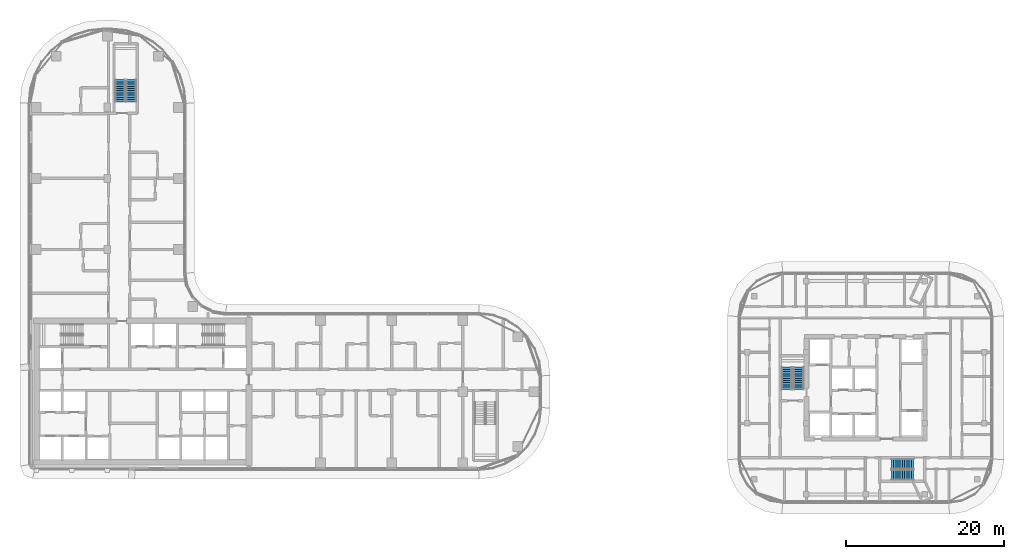
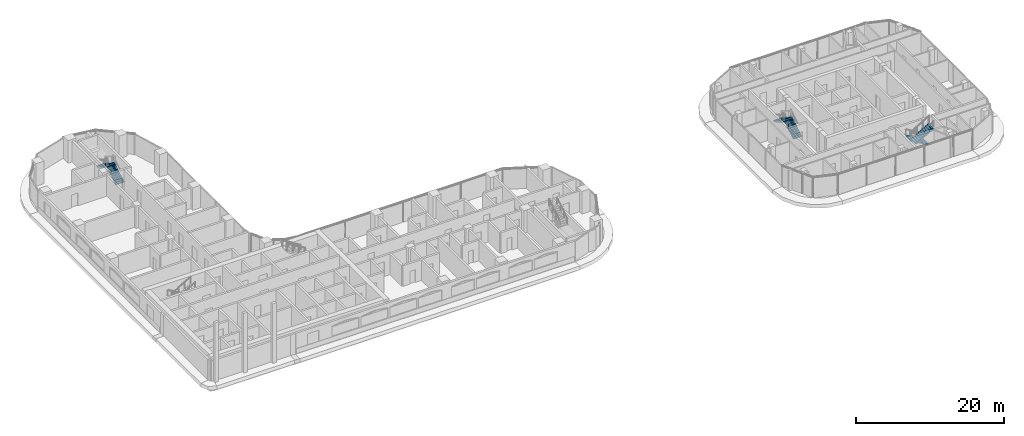
# One storey, part 31 of 40: 6 stair flights, 3 elements without a shape of their own.
"""IFC4 building model written with IfcOpenShell, lengths in metres."""

import ifcopenshell
import ifcopenshell.guid

model = None  # the IFC model being written
_history = None  # IfcOwnerHistory: only IFC2X3 demands one
_inside = {}  # id of a spatial element -> (the spatial element, [elements in it])
_under = {}  # id of a project, library or spatial element -> (it, [spatial elements below it])
_declared = {}  # id of a project -> (the project, [libraries it declares])
_typed = {}  # id of a type object -> (the type object, [elements of that type])
_made_of = {}  # id of a material, layer set ... -> (it, [elements and type objects made of it])


def new_model(schema):
    """Start an empty IFC model of exactly this schema.

    Asked for "IFC4X3", IfcOpenShell would pick the latest addendum, in which some entities
    have other attributes; the version numbers below select the first issue.
    IFC2X3 requires an IfcOwnerHistory on every rooted entity: one is made here for all.
    """
    global model, _history
    if schema == "IFC4X3":
        model = ifcopenshell.file(schema_version=(4, 3, 0, 0))
    else:
        model = ifcopenshell.file(schema=schema)
    _inside.clear()
    _under.clear()
    _declared.clear()
    _typed.clear()
    _made_of.clear()
    _history = None
    if model.schema == "IFC2X3":
        org = make("IfcOrganization", Name="unknown")
        user = make(
            "IfcPersonAndOrganization",
            ThePerson=make("IfcPerson", FamilyName="unknown"),
            TheOrganization=org,
        )
        app = make(
            "IfcApplication",
            ApplicationDeveloper=org,
            Version="unknown",
            ApplicationFullName="unknown",
            ApplicationIdentifier="unknown",
        )
        _history = make(
            "IfcOwnerHistory",
            OwningUser=user,
            OwningApplication=app,
            ChangeAction="ADDED",
            CreationDate=0,
        )
    return model


def make(cls, **values):
    """One entity of the class cls with the attributes given. An attribute that is None is left unset."""
    return model.create_entity(
        cls, **{name: value for name, value in values.items() if value is not None}
    )


def rooted(cls, **values):
    """An entity with a GlobalId (a new one), such as an element, a storey or a relation."""
    return make(cls, GlobalId=ifcopenshell.guid.new(), OwnerHistory=_history, **values)


def si_unit(unit_type, name, prefix=None):
    """IfcSIUnit, for example si_unit("LENGTHUNIT", "METRE", prefix="MILLI")."""
    return make("IfcSIUnit", UnitType=unit_type, Prefix=prefix, Name=name)


def assignment(units):
    """IfcUnitAssignment: the units of a project."""
    return None if units is None else make("IfcUnitAssignment", Units=units)


def point(xyz):
    """IfcCartesianPoint."""
    return None if xyz is None else make("IfcCartesianPoint", Coordinates=xyz)


def direction(xyz):
    """IfcDirection."""
    return None if xyz is None else make("IfcDirection", DirectionRatios=xyz)


def frame(location, z_axis=None, x_axis=None):
    """IfcAxis2Placement3D, a coordinate frame: its origin and axes. An axis left out is left unset."""
    return make(
        "IfcAxis2Placement3D",
        Location=point(location),
        Axis=direction(z_axis),
        RefDirection=direction(x_axis),
    )


def origin():
    """The frame at (0, 0, 0) with its axes left unset."""
    return frame((0.0, 0.0, 0.0))


def place(relative_to, where):
    """IfcLocalPlacement: puts the frame where relative to a parent placement (None: the world)."""
    return make(
        "IfcLocalPlacement", PlacementRelTo=relative_to, RelativePlacement=where
    )


def context(
    kind, dimensions, precision=None, world=None, true_north=None, identifier=None
):
    """IfcGeometricRepresentationContext, for example the 3D "Model" context."""
    return make(
        "IfcGeometricRepresentationContext",
        ContextIdentifier=identifier,
        ContextType=kind,
        CoordinateSpaceDimension=dimensions,
        Precision=precision,
        WorldCoordinateSystem=world,
        TrueNorth=true_north,
    )


def subcontext(parent, identifier, kind, view, scale=None):
    """IfcGeometricRepresentationSubContext, for example "Body" below "Model"."""
    return make(
        "IfcGeometricRepresentationSubContext",
        ContextIdentifier=identifier,
        ContextType=kind,
        ParentContext=parent,
        TargetScale=scale,
        TargetView=view,
    )


def project(units=None, contexts=None):
    """IfcProject with its units and contexts."""
    return rooted(
        "IfcProject",
        Name="project",
        RepresentationContexts=contexts,
        UnitsInContext=assignment(units),
    )


def spatial(cls, under=None, at=None, **own):
    """A site, building, storey or space (cls), placed at a placement, below another one or the project."""
    s = rooted(cls, ObjectPlacement=at, **own)
    if under is not None:
        _under.setdefault(under.id(), (under, []))[1].append(s)
    return s


def point_list(points):
    """IfcCartesianPointList2D or 3D."""
    cls = (
        "IfcCartesianPointList2D" if len(points[0]) == 2 else "IfcCartesianPointList3D"
    )
    return make(cls, CoordList=points)


def triangles(points, corners, closed=None, point_numbers=None):
    """IfcTriangulatedFaceSet: each triangle names its three corners, points numbered from 1."""
    return make(
        "IfcTriangulatedFaceSet",
        Coordinates=point_list(points),
        Closed=closed,
        CoordIndex=corners,
        PnIndex=point_numbers,
    )


def shape(context_of_items, identifier, shape_type, items):
    """IfcShapeRepresentation: the items that make up one representation, for example the "Body"."""
    return make(
        "IfcShapeRepresentation",
        ContextOfItems=context_of_items,
        RepresentationIdentifier=identifier,
        RepresentationType=shape_type,
        Items=items,
    )


def source(mapping_origin, context_of_items, identifier, shape_type, items):
    """IfcRepresentationMap: a shape defined once, which mapped items show again and again."""
    return make(
        "IfcRepresentationMap",
        MappingOrigin=mapping_origin,
        MappedRepresentation=shape(context_of_items, identifier, shape_type, items),
    )


def transform(
    local_origin,
    x_axis=None,
    y_axis=None,
    z_axis=None,
    scale=None,
    scale2=None,
    scale3=None,
    uniform=True,
):
    """IfcCartesianTransformationOperator3D, or its non-uniform kind. x_axis, y_axis, z_axis: its Axis1, 2, 3."""
    if uniform:
        return make(
            "IfcCartesianTransformationOperator3D",
            Axis1=direction(x_axis),
            Axis2=direction(y_axis),
            LocalOrigin=point(local_origin),
            Scale=scale,
            Axis3=direction(z_axis),
        )
    return make(
        "IfcCartesianTransformationOperator3DnonUniform",
        Axis1=direction(x_axis),
        Axis2=direction(y_axis),
        LocalOrigin=point(local_origin),
        Scale=scale,
        Axis3=direction(z_axis),
        Scale2=scale2,
        Scale3=scale3,
    )


def mapped(mapping_source, mapping_target):
    """IfcMappedItem: shows the shape of a source again, moved by a transform."""
    return make(
        "IfcMappedItem", MappingSource=mapping_source, MappingTarget=mapping_target
    )


def material(Name=None, Category=None):
    """IfcMaterial."""
    return make("IfcMaterial", Name=Name, Category=Category)


def made_of(thing, what):
    """Note that an element or type object is made of a material, layer set ...; save() writes the relation."""
    if what is not None:
        _made_of.setdefault(what.id(), (what, []))[1].append(thing)
    return thing


def type_object(cls, material=None, **own):
    """A type object (cls), such as IfcWallType, which elements share."""
    return made_of(rooted(cls, **own), material)


def element(
    cls,
    number,
    at=None,
    inside=None,
    cuts=None,
    type_object=None,
    material=None,
    context=None,
    identifier="Body",
    shape_type=None,
    held_by="IfcProductDefinitionShape",
    body=None,
    shapes=None,
    **own,
):
    """One element of the class cls, such as IfcWall. Its Tag is "e" and its number.

    at: its placement. inside: the storey or other place that contains it. cuts: it is an
    opening in that element (IfcRelVoidsElement). A single representation is given by context,
    identifier, shape_type and body (its items); several are given by shapes. held_by: the class
    of the entity that holds the representations. save() writes the other relations.
    """
    e = rooted(cls, Tag="e%d" % number, ObjectPlacement=at, **own)
    if body is not None:
        shapes = [shape(context, identifier, shape_type, body)]
    if shapes is not None:
        e.Representation = make(held_by, Representations=shapes)
    if inside is not None:
        _inside.setdefault(inside.id(), (inside, []))[1].append(e)
    if cuts is not None:
        rooted(
            "IfcRelVoidsElement", RelatingBuildingElement=cuts, RelatedOpeningElement=e
        )
    if type_object is not None:
        _typed.setdefault(type_object.id(), (type_object, []))[1].append(e)
    return made_of(e, material)


def aggregate(whole, parts):
    """IfcRelAggregates: a whole, such as a stair, and the parts it consists of."""
    return rooted("IfcRelAggregates", RelatingObject=whole, RelatedObjects=parts)


def save(model, path):
    """Write the relations noted so far, then the file.

    IfcRelAggregates (storeys below a building ...), IfcRelContainedInSpatialStructure (elements
    in a storey), IfcRelDefinesByType, IfcRelAssociatesMaterial and IfcRelDeclares: one each for
    every whole, place, type object, material and project.
    """
    for whole, parts in _under.values():
        aggregate(whole, parts)
    for where, things in _inside.values():
        rooted(
            "IfcRelContainedInSpatialStructure",
            RelatedElements=things,
            RelatingStructure=where,
        )
    for kind, things in _typed.values():
        rooted("IfcRelDefinesByType", RelatedObjects=things, RelatingType=kind)
    for what, things in _made_of.values():
        rooted("IfcRelAssociatesMaterial", RelatedObjects=things, RelatingMaterial=what)
    for by, libraries in _declared.values():
        rooted("IfcRelDeclares", RelatingContext=by, RelatedDefinitions=libraries)
    model.write(path)


model = new_model("IFC4")

# Units and contexts
model_context = context("Model", 3, precision=1e-05, world=origin(), true_north=direction((0.0, 1.0)))
body_context = subcontext(model_context, "Body", "Model", "MODEL_VIEW")
ifc_project = project(units=[si_unit("LENGTHUNIT", "METRE"), si_unit("AREAUNIT", "SQUARE_METRE"), si_unit("VOLUMEUNIT", "CUBIC_METRE"), si_unit("PLANEANGLEUNIT", "RADIAN"), si_unit("MASSUNIT", "GRAM", prefix="KILO")], contexts=[model_context])

# Site, building, storey
site_placement = place(None, origin())
site = spatial("IfcSite", under=ifc_project, at=site_placement, CompositionType="ELEMENT")
building_placement = place(site_placement, origin())
building = spatial("IfcBuilding", under=site, at=building_placement, Name="Ogive Portal Towers", CompositionType="ELEMENT")
storey_placement = place(building_placement, frame((0.0, 0.0, 87.10009765625)))
storey = spatial("IfcBuildingStorey", under=building, at=storey_placement, Name="L20", CompositionType="ELEMENT", Elevation=87.10009765625)

# Stair, stair flights
ifc_material = material(Name="Concrete C40/50", Category="concrete")
stair_type = type_object("IfcStairType", Name="INT-STAIR", PredefinedType="HALF_TURN_STAIR", material=ifc_material)
stair_1_placement = place(storey_placement, origin())
stair_1 = element("IfcStair", 1, at=stair_1_placement, inside=storey, type_object=stair_type, Name="L20 Exit Stair ST-A3", PredefinedType="HALF_TURN_STAIR")
stair_flight_type = type_object("IfcStairFlightType", Name="INT-FLIGHT", PredefinedType="STRAIGHT", material=ifc_material)
shared_shape = source(origin(), body_context, "Body", "Tessellation", [
    triangles([(0.0, -0.650146484375, 0.0), (0.0, -0.376220703125, 0.0), (0.0, -0.192626953125, 0.0), (0.0, -0.081298828125, 0.0), (0.0, -0.024169921875, 0.0), (0.0, -0.003173828125, 0.0), (0.0, 0.0, 0.0), (0.0, 0.0029296875, 0.0), (0.0, 0.02392578125, 0.0), (0.0, 0.0810546875, 0.0), (0.0, 0.1923828125, 0.0), (0.0, 0.3759765625, 0.0), (0.0, 0.64990234375, 0.0), (0.0, -0.650146484375, 0.168212890625), (0.0, -0.376220703125, 0.168212890625), (0.0, -0.192626953125, 0.168212890625), (0.0, -0.081298828125, 0.168212890625), (0.0, -0.024169921875, 0.168212890625), (0.0, -0.003173828125, 0.168212890625), (0.0, 0.0, 0.168212890625), (0.0, 0.0029296875, 0.168212890625), (0.0, 0.02392578125, 0.168212890625), (0.0, 0.0810546875, 0.168212890625), (0.0, 0.1923828125, 0.168212890625), (0.0, 0.3759765625, 0.168212890625), (0.0, 0.64990234375, 0.168212890625), (0.280029296875, -0.650146484375, 0.168212890625), (0.280029296875, -0.376220703125, 0.168212890625), (0.280029296875, -0.192626953125, 0.168212890625), (0.280029296875, -0.081298828125, 0.168212890625), (0.280029296875, -0.024169921875, 0.168212890625), (0.280029296875, -0.003173828125, 0.168212890625), (0.280029296875, 0.0, 0.168212890625), (0.280029296875, 0.0029296875, 0.168212890625), (0.280029296875, 0.02392578125, 0.168212890625), (0.280029296875, 0.0810546875, 0.168212890625), (0.280029296875, 0.1923828125, 0.168212890625), (0.280029296875, 0.3759765625, 0.168212890625), (0.280029296875, 0.64990234375, 0.168212890625), (0.280029296875, -0.650146484375, 0.33642578125), (0.280029296875, -0.376220703125, 0.33642578125), (0.280029296875, -0.192626953125, 0.33642578125), (0.280029296875, -0.081298828125, 0.33642578125), (0.280029296875, -0.024169921875, 0.33642578125), (0.280029296875, -0.003173828125, 0.33642578125), (0.280029296875, 0.0, 0.33642578125), (0.280029296875, 0.0029296875, 0.33642578125), (0.280029296875, 0.02392578125, 0.33642578125), (0.280029296875, 0.0810546875, 0.33642578125), (0.280029296875, 0.1923828125, 0.33642578125), (0.280029296875, 0.3759765625, 0.33642578125), (0.280029296875, 0.64990234375, 0.33642578125), (0.56005859375, -0.650146484375, 0.33642578125), (0.56005859375, -0.376220703125, 0.33642578125), (0.56005859375, -0.192626953125, 0.33642578125), (0.56005859375, -0.081298828125, 0.33642578125), (0.56005859375, -0.024169921875, 0.33642578125), (0.56005859375, -0.003173828125, 0.33642578125), (0.56005859375, 0.0, 0.33642578125), (0.56005859375, 0.0029296875, 0.33642578125), (0.56005859375, 0.02392578125, 0.33642578125), (0.56005859375, 0.0810546875, 0.33642578125), (0.56005859375, 0.1923828125, 0.33642578125), (0.56005859375, 0.3759765625, 0.33642578125), (0.56005859375, 0.64990234375, 0.33642578125), (0.56005859375, -0.650146484375, 0.504638671875), (0.56005859375, -0.376220703125, 0.504638671875), (0.56005859375, -0.192626953125, 0.504638671875), (0.56005859375, -0.081298828125, 0.504638671875), (0.56005859375, -0.024169921875, 0.504638671875), (0.56005859375, -0.003173828125, 0.504638671875), (0.56005859375, 0.0, 0.504638671875), (0.56005859375, 0.0029296875, 0.504638671875), (0.56005859375, 0.02392578125, 0.504638671875), (0.56005859375, 0.0810546875, 0.504638671875), (0.56005859375, 0.1923828125, 0.504638671875), (0.56005859375, 0.3759765625, 0.504638671875), (0.56005859375, 0.64990234375, 0.504638671875), (0.840087890625, -0.650146484375, 0.504638671875), (0.840087890625, -0.376220703125, 0.504638671875), (0.840087890625, -0.192626953125, 0.504638671875), (0.840087890625, -0.081298828125, 0.504638671875), (0.840087890625, -0.024169921875, 0.504638671875), (0.840087890625, -0.003173828125, 0.504638671875), (0.840087890625, 0.0, 0.504638671875), (0.840087890625, 0.0029296875, 0.504638671875), (0.840087890625, 0.02392578125, 0.504638671875), (0.840087890625, 0.0810546875, 0.504638671875), (0.840087890625, 0.1923828125, 0.504638671875), (0.840087890625, 0.3759765625, 0.504638671875), (0.840087890625, 0.64990234375, 0.504638671875), (0.840087890625, -0.650146484375, 0.672607421875), (0.840087890625, -0.376220703125, 0.672607421875), (0.840087890625, -0.192626953125, 0.672607421875), (0.840087890625, -0.081298828125, 0.672607421875), (0.840087890625, -0.024169921875, 0.672607421875), (0.840087890625, -0.003173828125, 0.672607421875), (0.840087890625, 0.0, 0.672607421875), (0.840087890625, 0.0029296875, 0.672607421875), (0.840087890625, 0.02392578125, 0.672607421875), (0.840087890625, 0.0810546875, 0.672607421875), (0.840087890625, 0.1923828125, 0.672607421875), (0.840087890625, 0.3759765625, 0.672607421875), (0.840087890625, 0.64990234375, 0.672607421875), (1.1201171875, -0.650146484375, 0.672607421875), (1.1201171875, -0.376220703125, 0.672607421875), (1.1201171875, -0.192626953125, 0.672607421875), (1.1201171875, -0.081298828125, 0.672607421875), (1.1201171875, -0.024169921875, 0.672607421875), (1.1201171875, -0.003173828125, 0.672607421875), (1.1201171875, 0.0, 0.672607421875), (1.1201171875, 0.0029296875, 0.672607421875), (1.1201171875, 0.02392578125, 0.672607421875), (1.1201171875, 0.0810546875, 0.672607421875), (1.1201171875, 0.1923828125, 0.672607421875), (1.1201171875, 0.3759765625, 0.672607421875), (1.1201171875, 0.64990234375, 0.672607421875), (1.1201171875, -0.650146484375, 0.8408203125), (1.1201171875, -0.376220703125, 0.8408203125), (1.1201171875, -0.192626953125, 0.8408203125), (1.1201171875, -0.081298828125, 0.8408203125), (1.1201171875, -0.024169921875, 0.8408203125), (1.1201171875, -0.003173828125, 0.8408203125), (1.1201171875, 0.0, 0.8408203125), (1.1201171875, 0.0029296875, 0.8408203125), (1.1201171875, 0.02392578125, 0.8408203125), (1.1201171875, 0.0810546875, 0.8408203125), (1.1201171875, 0.1923828125, 0.8408203125), (1.1201171875, 0.3759765625, 0.8408203125), (1.1201171875, 0.64990234375, 0.8408203125), (1.39990234375, -0.650146484375, 0.8408203125), (1.39990234375, -0.376220703125, 0.8408203125), (1.39990234375, -0.192626953125, 0.8408203125), (1.39990234375, -0.081298828125, 0.8408203125), (1.39990234375, -0.024169921875, 0.8408203125), (1.39990234375, -0.003173828125, 0.8408203125), (1.39990234375, 0.0, 0.8408203125), (1.39990234375, 0.0029296875, 0.8408203125), (1.39990234375, 0.02392578125, 0.8408203125), (1.39990234375, 0.0810546875, 0.8408203125), (1.39990234375, 0.1923828125, 0.8408203125), (1.39990234375, 0.3759765625, 0.8408203125), (1.39990234375, 0.64990234375, 0.8408203125), (1.39990234375, -0.650146484375, 1.009033203125), (1.39990234375, -0.376220703125, 1.009033203125), (1.39990234375, -0.192626953125, 1.009033203125), (1.39990234375, -0.081298828125, 1.009033203125), (1.39990234375, -0.024169921875, 1.009033203125), (1.39990234375, -0.003173828125, 1.009033203125), (1.39990234375, 0.0, 1.009033203125), (1.39990234375, 0.0029296875, 1.009033203125), (1.39990234375, 0.02392578125, 1.009033203125), (1.39990234375, 0.0810546875, 1.009033203125), (1.39990234375, 0.1923828125, 1.009033203125), (1.39990234375, 0.3759765625, 1.009033203125), (1.39990234375, 0.64990234375, 1.009033203125), (1.679931640625, -0.650146484375, 1.009033203125), (1.679931640625, -0.376220703125, 1.009033203125), (1.679931640625, -0.192626953125, 1.009033203125), (1.679931640625, -0.081298828125, 1.009033203125), (1.679931640625, -0.024169921875, 1.009033203125), (1.679931640625, -0.003173828125, 1.009033203125), (1.679931640625, 0.0, 1.009033203125), (1.679931640625, 0.0029296875, 1.009033203125), (1.679931640625, 0.02392578125, 1.009033203125), (1.679931640625, 0.0810546875, 1.009033203125), (1.679931640625, 0.1923828125, 1.009033203125), (1.679931640625, 0.3759765625, 1.009033203125), (1.679931640625, 0.64990234375, 1.009033203125), (1.679931640625, -0.650146484375, 1.17724609375), (1.679931640625, -0.376220703125, 1.17724609375), (1.679931640625, -0.192626953125, 1.17724609375), (1.679931640625, -0.081298828125, 1.17724609375), (1.679931640625, -0.024169921875, 1.17724609375), (1.679931640625, -0.003173828125, 1.17724609375), (1.679931640625, 0.0, 1.17724609375), (1.679931640625, 0.0029296875, 1.17724609375), (1.679931640625, 0.02392578125, 1.17724609375), (1.679931640625, 0.0810546875, 1.17724609375), (1.679931640625, 0.1923828125, 1.17724609375), (1.679931640625, 0.3759765625, 1.17724609375), (1.679931640625, 0.64990234375, 1.17724609375), (1.9599609375, -0.650146484375, 1.17724609375), (1.9599609375, -0.376220703125, 1.17724609375), (1.9599609375, -0.192626953125, 1.17724609375), (1.9599609375, -0.081298828125, 1.17724609375), (1.9599609375, -0.024169921875, 1.17724609375), (1.9599609375, -0.003173828125, 1.17724609375), (1.9599609375, 0.0, 1.17724609375), (1.9599609375, 0.0029296875, 1.17724609375), (1.9599609375, 0.02392578125, 1.17724609375), (1.9599609375, 0.0810546875, 1.17724609375), (1.9599609375, 0.1923828125, 1.17724609375), (1.9599609375, 0.3759765625, 1.17724609375), (1.9599609375, 0.64990234375, 1.17724609375), (1.9599609375, -0.650146484375, 1.345458984375), (1.9599609375, -0.376220703125, 1.345458984375), (1.9599609375, -0.192626953125, 1.345458984375), (1.9599609375, -0.081298828125, 1.345458984375), (1.9599609375, -0.024169921875, 1.345458984375), (1.9599609375, -0.003173828125, 1.345458984375), (1.9599609375, 0.0, 1.345458984375), (1.9599609375, 0.0029296875, 1.345458984375), (1.9599609375, 0.02392578125, 1.345458984375), (1.9599609375, 0.0810546875, 1.345458984375), (1.9599609375, 0.1923828125, 1.345458984375), (1.9599609375, 0.3759765625, 1.345458984375), (1.9599609375, 0.64990234375, 1.345458984375), (2.239990234375, -0.650146484375, 1.345458984375), (2.239990234375, -0.376220703125, 1.345458984375), (2.239990234375, -0.192626953125, 1.345458984375), (2.239990234375, -0.081298828125, 1.345458984375), (2.239990234375, -0.024169921875, 1.345458984375), (2.239990234375, -0.003173828125, 1.345458984375), (2.239990234375, 0.0, 1.345458984375), (2.239990234375, 0.0029296875, 1.345458984375), (2.239990234375, 0.02392578125, 1.345458984375), (2.239990234375, 0.0810546875, 1.345458984375), (2.239990234375, 0.1923828125, 1.345458984375), (2.239990234375, 0.3759765625, 1.345458984375), (2.239990234375, 0.64990234375, 1.345458984375), (2.239990234375, -0.650146484375, 1.513671875), (2.239990234375, -0.376220703125, 1.513671875), (2.239990234375, -0.192626953125, 1.513671875), (2.239990234375, -0.081298828125, 1.513671875), (2.239990234375, -0.024169921875, 1.513671875), (2.239990234375, -0.003173828125, 1.513671875), (2.239990234375, 0.0, 1.513671875), (2.239990234375, 0.0029296875, 1.513671875), (2.239990234375, 0.02392578125, 1.513671875), (2.239990234375, 0.0810546875, 1.513671875), (2.239990234375, 0.1923828125, 1.513671875), (2.239990234375, 0.3759765625, 1.513671875), (2.239990234375, 0.64990234375, 1.513671875), (2.52001953125, -0.650146484375, 1.513671875), (2.52001953125, -0.376220703125, 1.513671875), (2.52001953125, -0.192626953125, 1.513671875), (2.52001953125, -0.081298828125, 1.513671875), (2.52001953125, -0.024169921875, 1.513671875), (2.52001953125, -0.003173828125, 1.513671875), (2.52001953125, 0.0, 1.513671875), (2.52001953125, 0.0029296875, 1.513671875), (2.52001953125, 0.02392578125, 1.513671875), (2.52001953125, 0.0810546875, 1.513671875), (2.52001953125, 0.1923828125, 1.513671875), (2.52001953125, 0.3759765625, 1.513671875), (2.52001953125, 0.64990234375, 1.513671875), (2.52001953125, -0.650146484375, 1.681884765625), (2.52001953125, -0.376220703125, 1.681884765625), (2.52001953125, -0.192626953125, 1.681884765625), (2.52001953125, -0.081298828125, 1.681884765625), (2.52001953125, -0.024169921875, 1.681884765625), (2.52001953125, -0.003173828125, 1.681884765625), (2.52001953125, 0.0, 1.681884765625), (2.52001953125, 0.0029296875, 1.681884765625), (2.52001953125, 0.02392578125, 1.681884765625), (2.52001953125, 0.0810546875, 1.681884765625), (2.52001953125, 0.1923828125, 1.681884765625), (2.52001953125, 0.3759765625, 1.681884765625), (2.52001953125, 0.64990234375, 1.681884765625), (2.800048828125, -0.650146484375, 1.681884765625), (2.800048828125, -0.376220703125, 1.681884765625), (2.800048828125, -0.192626953125, 1.681884765625), (2.800048828125, -0.081298828125, 1.681884765625), (2.800048828125, -0.024169921875, 1.681884765625), (2.800048828125, -0.003173828125, 1.681884765625), (2.800048828125, 0.0, 1.681884765625), (2.800048828125, 0.0029296875, 1.681884765625), (2.800048828125, 0.02392578125, 1.681884765625), (2.800048828125, 0.0810546875, 1.681884765625), (2.800048828125, 0.1923828125, 1.681884765625), (2.800048828125, 0.3759765625, 1.681884765625), (2.800048828125, 0.64990234375, 1.681884765625), (2.800048828125, -0.650146484375, 1.5068359375), (2.800048828125, -0.376220703125, 1.5068359375), (2.800048828125, -0.192626953125, 1.5068359375), (2.800048828125, -0.081298828125, 1.5068359375), (2.800048828125, -0.024169921875, 1.5068359375), (2.800048828125, -0.003173828125, 1.5068359375), (2.800048828125, 0.0, 1.5068359375), (2.800048828125, 0.0029296875, 1.5068359375), (2.800048828125, 0.02392578125, 1.5068359375), (2.800048828125, 0.0810546875, 1.5068359375), (2.800048828125, 0.1923828125, 1.5068359375), (2.800048828125, 0.3759765625, 1.5068359375), (2.800048828125, 0.64990234375, 1.5068359375), (0.291015625, -0.650146484375, 0.0), (0.291015625, -0.376220703125, 0.0), (0.291015625, -0.192626953125, 0.0), (0.291015625, -0.081298828125, 0.0), (0.291015625, -0.024169921875, 0.0), (0.291015625, -0.003173828125, 0.0), (0.291015625, 0.0, 0.0), (0.291015625, 0.0029296875, 0.0), (0.291015625, 0.02392578125, 0.0), (0.291015625, 0.0810546875, 0.0), (0.291015625, 0.1923828125, 0.0), (0.291015625, 0.3759765625, 0.0), (0.291015625, 0.64990234375, 0.0)], [[1, 14, 15], [1, 15, 2], [2, 15, 16], [2, 16, 3], [3, 16, 17], [3, 17, 4], [4, 17, 18], [4, 18, 5], [5, 18, 19], [5, 19, 6], [6, 19, 20], [6, 20, 7], [7, 20, 21], [7, 21, 8], [8, 21, 22], [8, 22, 9], [9, 22, 23], [9, 23, 10], [10, 23, 24], [10, 24, 11], [11, 24, 25], [11, 25, 12], [12, 25, 26], [12, 26, 13], [14, 27, 28], [14, 28, 15], [15, 28, 29], [15, 29, 16], [16, 29, 30], [16, 30, 17], [17, 30, 31], [17, 31, 18], [18, 31, 32], [18, 32, 19], [19, 32, 33], [19, 33, 20], [20, 33, 34], [20, 34, 21], [21, 34, 35], [21, 35, 22], [22, 35, 36], [22, 36, 23], [23, 36, 37], [23, 37, 24], [24, 37, 38], [24, 38, 25], [25, 38, 39], [25, 39, 26], [27, 40, 41], [27, 41, 28], [28, 41, 42], [28, 42, 29], [29, 42, 43], [29, 43, 30], [30, 43, 44], [30, 44, 31], [31, 44, 45], [31, 45, 32], [32, 45, 46], [32, 46, 33], [33, 46, 47], [33, 47, 34], [34, 47, 48], [34, 48, 35], [35, 48, 49], [35, 49, 36], [36, 49, 50], [36, 50, 37], [37, 50, 51], [37, 51, 38], [38, 51, 52], [38, 52, 39], [40, 53, 54], [40, 54, 41], [41, 54, 55], [41, 55, 42], [42, 55, 56], [42, 56, 43], [43, 56, 57], [43, 57, 44], [44, 57, 58], [44, 58, 45], [45, 58, 59], [45, 59, 46], [46, 59, 60], [46, 60, 47], [47, 60, 61], [47, 61, 48], [48, 61, 62], [48, 62, 49], [49, 62, 63], [49, 63, 50], [50, 63, 64], [50, 64, 51], [51, 64, 65], [51, 65, 52], [53, 66, 67], [53, 67, 54], [54, 67, 68], [54, 68, 55], [55, 68, 69], [55, 69, 56], [56, 69, 70], [56, 70, 57], [57, 70, 71], [57, 71, 58], [58, 71, 72], [58, 72, 59], [59, 72, 73], [59, 73, 60], [60, 73, 74], [60, 74, 61], [61, 74, 75], [61, 75, 62], [62, 75, 76], [62, 76, 63], [63, 76, 77], [63, 77, 64], [64, 77, 78], [64, 78, 65], [66, 79, 80], [66, 80, 67], [67, 80, 81], [67, 81, 68], [68, 81, 82], [68, 82, 69], [69, 82, 83], [69, 83, 70], [70, 83, 84], [70, 84, 71], [71, 84, 85], [71, 85, 72], [72, 85, 86], [72, 86, 73], [73, 86, 87], [73, 87, 74], [74, 87, 88], [74, 88, 75], [75, 88, 89], [75, 89, 76], [76, 89, 90], [76, 90, 77], [77, 90, 91], [77, 91, 78], [79, 92, 93], [79, 93, 80], [80, 93, 94], [80, 94, 81], [81, 94, 95], [81, 95, 82], [82, 95, 96], [82, 96, 83], [83, 96, 97], [83, 97, 84], [84, 97, 98], [84, 98, 85], [85, 98, 99], [85, 99, 86], [86, 99, 100], [86, 100, 87], [87, 100, 101], [87, 101, 88], [88, 101, 102], [88, 102, 89], [89, 102, 103], [89, 103, 90], [90, 103, 104], [90, 104, 91], [92, 105, 106], [92, 106, 93], [93, 106, 107], [93, 107, 94], [94, 107, 108], [94, 108, 95], [95, 108, 109], [95, 109, 96], [96, 109, 110], [96, 110, 97], [97, 110, 111], [97, 111, 98], [98, 111, 112], [98, 112, 99], [99, 112, 113], [99, 113, 100], [100, 113, 114], [100, 114, 101], [101, 114, 115], [101, 115, 102], [102, 115, 116], [102, 116, 103], [103, 116, 117], [103, 117, 104], [105, 118, 119], [105, 119, 106], [106, 119, 120], [106, 120, 107], [107, 120, 121], [107, 121, 108], [108, 121, 122], [108, 122, 109], [109, 122, 123], [109, 123, 110], [110, 123, 124], [110, 124, 111], [111, 124, 125], [111, 125, 112], [112, 125, 126], [112, 126, 113], [113, 126, 127], [113, 127, 114], [114, 127, 128], [114, 128, 115], [115, 128, 129], [115, 129, 116], [116, 129, 130], [116, 130, 117], [118, 131, 132], [118, 132, 119], [119, 132, 133], [119, 133, 120], [120, 133, 134], [120, 134, 121], [121, 134, 135], [121, 135, 122], [122, 135, 136], [122, 136, 123], [123, 136, 137], [123, 137, 124], [124, 137, 138], [124, 138, 125], [125, 138, 139], [125, 139, 126], [126, 139, 140], [126, 140, 127], [127, 140, 141], [127, 141, 128], [128, 141, 142], [128, 142, 129], [129, 142, 143], [129, 143, 130], [131, 144, 145], [131, 145, 132], [132, 145, 146], [132, 146, 133], [133, 146, 147], [133, 147, 134], [134, 147, 148], [134, 148, 135], [135, 148, 149], [135, 149, 136], [136, 149, 150], [136, 150, 137], [137, 150, 151], [137, 151, 138], [138, 151, 152], [138, 152, 139], [139, 152, 153], [139, 153, 140], [140, 153, 154], [140, 154, 141], [141, 154, 155], [141, 155, 142], [142, 155, 156], [142, 156, 143], [144, 157, 158], [144, 158, 145], [145, 158, 159], [145, 159, 146], [146, 159, 160], [146, 160, 147], [147, 160, 161], [147, 161, 148], [148, 161, 162], [148, 162, 149], [149, 162, 163], [149, 163, 150], [150, 163, 164], [150, 164, 151], [151, 164, 165], [151, 165, 152], [152, 165, 166], [152, 166, 153], [153, 166, 167], [153, 167, 154], [154, 167, 168], [154, 168, 155], [155, 168, 169], [155, 169, 156], [157, 170, 171], [157, 171, 158], [158, 171, 172], [158, 172, 159], [159, 172, 173], [159, 173, 160], [160, 173, 174], [160, 174, 161], [161, 174, 175], [161, 175, 162], [162, 175, 176], [162, 176, 163], [163, 176, 177], [163, 177, 164], [164, 177, 178], [164, 178, 165], [165, 178, 179], [165, 179, 166], [166, 179, 180], [166, 180, 167], [167, 180, 181], [167, 181, 168], [168, 181, 182], [168, 182, 169], [170, 183, 184], [170, 184, 171], [171, 184, 185], [171, 185, 172], [172, 185, 186], [172, 186, 173], [173, 186, 187], [173, 187, 174], [174, 187, 188], [174, 188, 175], [175, 188, 189], [175, 189, 176], [176, 189, 190], [176, 190, 177], [177, 190, 191], [177, 191, 178], [178, 191, 192], [178, 192, 179], [179, 192, 193], [179, 193, 180], [180, 193, 194], [180, 194, 181], [181, 194, 195], [181, 195, 182], [183, 196, 197], [183, 197, 184], [184, 197, 198], [184, 198, 185], [185, 198, 199], [185, 199, 186], [186, 199, 200], [186, 200, 187], [187, 200, 201], [187, 201, 188], [188, 201, 202], [188, 202, 189], [189, 202, 203], [189, 203, 190], [190, 203, 204], [190, 204, 191], [191, 204, 205], [191, 205, 192], [192, 205, 206], [192, 206, 193], [193, 206, 207], [193, 207, 194], [194, 207, 208], [194, 208, 195], [196, 209, 210], [196, 210, 197], [197, 210, 211], [197, 211, 198], [198, 211, 212], [198, 212, 199], [199, 212, 213], [199, 213, 200], [200, 213, 214], [200, 214, 201], [201, 214, 215], [201, 215, 202], [202, 215, 216], [202, 216, 203], [203, 216, 217], [203, 217, 204], [204, 217, 218], [204, 218, 205], [205, 218, 219], [205, 219, 206], [206, 219, 220], [206, 220, 207], [207, 220, 221], [207, 221, 208], [209, 222, 223], [209, 223, 210], [210, 223, 224], [210, 224, 211], [211, 224, 225], [211, 225, 212], [212, 225, 226], [212, 226, 213], [213, 226, 227], [213, 227, 214], [214, 227, 228], [214, 228, 215], [215, 228, 229], [215, 229, 216], [216, 229, 230], [216, 230, 217], [217, 230, 231], [217, 231, 218], [218, 231, 232], [218, 232, 219], [219, 232, 233], [219, 233, 220], [220, 233, 234], [220, 234, 221], [222, 235, 236], [222, 236, 223], [223, 236, 237], [223, 237, 224], [224, 237, 238], [224, 238, 225], [225, 238, 239], [225, 239, 226], [226, 239, 240], [226, 240, 227], [227, 240, 241], [227, 241, 228], [228, 241, 242], [228, 242, 229], [229, 242, 243], [229, 243, 230], [230, 243, 244], [230, 244, 231], [231, 244, 245], [231, 245, 232], [232, 245, 246], [232, 246, 233], [233, 246, 247], [233, 247, 234], [235, 248, 249], [235, 249, 236], [236, 249, 250], [236, 250, 237], [237, 250, 251], [237, 251, 238], [238, 251, 252], [238, 252, 239], [239, 252, 253], [239, 253, 240], [240, 253, 254], [240, 254, 241], [241, 254, 255], [241, 255, 242], [242, 255, 256], [242, 256, 243], [243, 256, 257], [243, 257, 244], [244, 257, 258], [244, 258, 245], [245, 258, 259], [245, 259, 246], [246, 259, 260], [246, 260, 247], [248, 261, 262], [248, 262, 249], [249, 262, 263], [249, 263, 250], [250, 263, 264], [250, 264, 251], [251, 264, 265], [251, 265, 252], [252, 265, 266], [252, 266, 253], [253, 266, 267], [253, 267, 254], [254, 267, 268], [254, 268, 255], [255, 268, 269], [255, 269, 256], [256, 269, 270], [256, 270, 257], [257, 270, 271], [257, 271, 258], [258, 271, 272], [258, 272, 259], [259, 272, 273], [259, 273, 260], [261, 274, 275], [261, 275, 262], [262, 275, 276], [262, 276, 263], [263, 276, 277], [263, 277, 264], [264, 277, 278], [264, 278, 265], [265, 278, 279], [265, 279, 266], [266, 279, 280], [266, 280, 267], [267, 280, 281], [267, 281, 268], [268, 281, 282], [268, 282, 269], [269, 282, 283], [269, 283, 270], [270, 283, 284], [270, 284, 271], [271, 284, 285], [271, 285, 272], [272, 285, 286], [272, 286, 273], [274, 287, 288], [274, 288, 275], [275, 288, 289], [275, 289, 276], [276, 289, 290], [276, 290, 277], [277, 290, 291], [277, 291, 278], [278, 291, 292], [278, 292, 279], [279, 292, 293], [279, 293, 280], [280, 293, 294], [280, 294, 281], [281, 294, 295], [281, 295, 282], [282, 295, 296], [282, 296, 283], [283, 296, 297], [283, 297, 284], [284, 297, 298], [284, 298, 285], [285, 298, 299], [285, 299, 286], [287, 1, 2], [287, 2, 288], [288, 2, 3], [288, 3, 289], [289, 3, 4], [289, 4, 290], [290, 4, 5], [290, 5, 291], [291, 5, 6], [291, 6, 292], [292, 6, 7], [292, 7, 293], [293, 7, 8], [293, 8, 294], [294, 8, 9], [294, 9, 295], [295, 9, 10], [295, 10, 296], [296, 10, 11], [296, 11, 297], [297, 11, 12], [297, 12, 298], [298, 12, 13], [298, 13, 299], [1, 287, 274], [13, 286, 299], [274, 261, 248], [286, 260, 273], [274, 248, 235], [286, 247, 260], [274, 235, 222], [286, 234, 247], [274, 222, 209], [286, 221, 234], [209, 196, 183], [221, 195, 208], [274, 209, 183], [286, 195, 221], [183, 170, 157], [195, 169, 182], [274, 183, 157], [286, 169, 195], [157, 144, 131], [169, 143, 156], [274, 157, 131], [286, 143, 169], [131, 118, 105], [143, 117, 130], [274, 131, 105], [286, 117, 143], [1, 274, 105], [13, 117, 286], [105, 92, 79], [117, 91, 104], [79, 66, 53], [91, 65, 78], [105, 79, 53], [117, 65, 91], [53, 40, 27], [65, 39, 52], [105, 53, 27], [117, 39, 65], [1, 105, 27], [13, 39, 117], [27, 14, 1], [39, 13, 26]], closed=True),
])
stair_flight_1_placement = place(storey_placement, frame((43.550048828125, 67.199951171875, 0.0), z_axis=(0.0, 0.0, 1.0), x_axis=(0.0, 1.0, 0.0)))
stair_flight_1 = element("IfcStairFlight", 2, at=stair_flight_1_placement, type_object=stair_flight_type, Name="ST-A3 flight 1", NumberOfRisers=11, NumberOfTreads=10, PredefinedType="STRAIGHT", RiserHeight=0.168181818, TreadLength=0.28, context=body_context, shape_type="MappedRepresentation", body=[
    mapped(shared_shape, transform((0.0, 0.0, 0.0), scale=1.0)),
])
stair_flight_2_placement = place(storey_placement, frame((42.14990234375, 70.0, 1.849853515625), z_axis=(0.0, 0.0, 1.0), x_axis=(0.0, -1.0, 0.0)))
stair_flight_2 = element("IfcStairFlight", 3, at=stair_flight_2_placement, type_object=stair_flight_type, Name="ST-A3 flight 2", NumberOfRisers=11, NumberOfTreads=10, PredefinedType="STRAIGHT", RiserHeight=0.168181818, TreadLength=0.28, context=body_context, shape_type="MappedRepresentation", body=[
    mapped(shared_shape, transform((0.0, 0.0, 0.0), scale=1.0)),
])
aggregate(stair_1, [stair_flight_1, stair_flight_2])

stair_2_placement = place(storey_placement, origin())
stair_2 = element("IfcStair", 4, at=stair_2_placement, inside=storey, type_object=stair_type, Name="L20 Exit Stair ST-B1", PredefinedType="HALF_TURN_STAIR")
stair_flight_3_placement = place(storey_placement, frame((128.050048828125, 30.800048828125, 0.0), z_axis=(0.0, 0.0, 1.0), x_axis=(0.0, 1.0, 0.0)))
stair_flight_3 = element("IfcStairFlight", 5, at=stair_flight_3_placement, type_object=stair_flight_type, Name="ST-B1 flight 1", NumberOfRisers=11, NumberOfTreads=10, PredefinedType="STRAIGHT", RiserHeight=0.168181818, TreadLength=0.28, context=body_context, shape_type="MappedRepresentation", body=[
    mapped(shared_shape, transform((0.0, 0.0, 0.0), scale=1.0)),
])
stair_flight_4_placement = place(storey_placement, frame((126.5, 33.60009765625, 1.849853515625), z_axis=(0.0, 0.0, 1.0), x_axis=(0.0, -1.0, 0.0)))
stair_flight_4 = element("IfcStairFlight", 6, at=stair_flight_4_placement, type_object=stair_flight_type, Name="ST-B1 flight 2", NumberOfRisers=11, NumberOfTreads=10, PredefinedType="STRAIGHT", RiserHeight=0.168181818, TreadLength=0.28, context=body_context, shape_type="MappedRepresentation", body=[
    mapped(shared_shape, transform((0.0, 0.0, 0.0), scale=1.0)),
])
aggregate(stair_2, [stair_flight_3, stair_flight_4])

stair_3_placement = place(storey_placement, origin())
stair_3 = element("IfcStair", 7, at=stair_3_placement, inside=storey, type_object=stair_type, Name="L20 Exit Stair ST-B2", PredefinedType="HALF_TURN_STAIR")
stair_flight_5_placement = place(storey_placement, frame((142.550048828125, 21.35009765625, 0.0), z_axis=(0.0, 0.0, 1.0), x_axis=(-1.0, 0.0, 0.0)))
stair_flight_5 = element("IfcStairFlight", 8, at=stair_flight_5_placement, type_object=stair_flight_type, Name="ST-B2 flight 1", NumberOfRisers=11, NumberOfTreads=10, PredefinedType="STRAIGHT", RiserHeight=0.168181818, TreadLength=0.28, context=body_context, shape_type="MappedRepresentation", body=[
    mapped(shared_shape, transform((0.0, 0.0, 0.0), scale=1.0)),
])
stair_flight_6_placement = place(storey_placement, frame((139.75, 19.949951171875, 1.849853515625), z_axis=(0.0, 0.0, 1.0), x_axis=(1.0, 0.0, 0.0)))
stair_flight_6 = element("IfcStairFlight", 9, at=stair_flight_6_placement, type_object=stair_flight_type, Name="ST-B2 flight 2", NumberOfRisers=11, NumberOfTreads=10, PredefinedType="STRAIGHT", RiserHeight=0.168181818, TreadLength=0.28, context=body_context, shape_type="MappedRepresentation", body=[
    mapped(shared_shape, transform((0.0, 0.0, 0.0), scale=1.0)),
])
aggregate(stair_3, [stair_flight_5, stair_flight_6])

save(model, "model.ifc")
